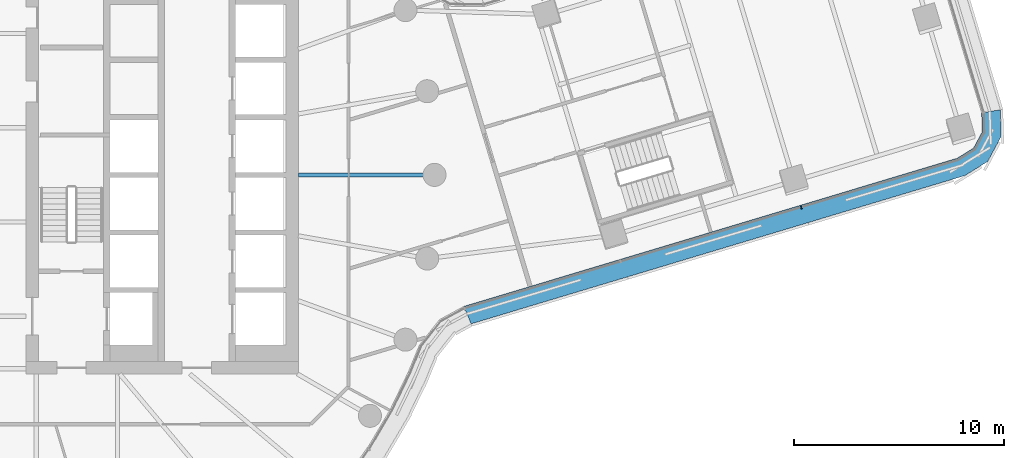
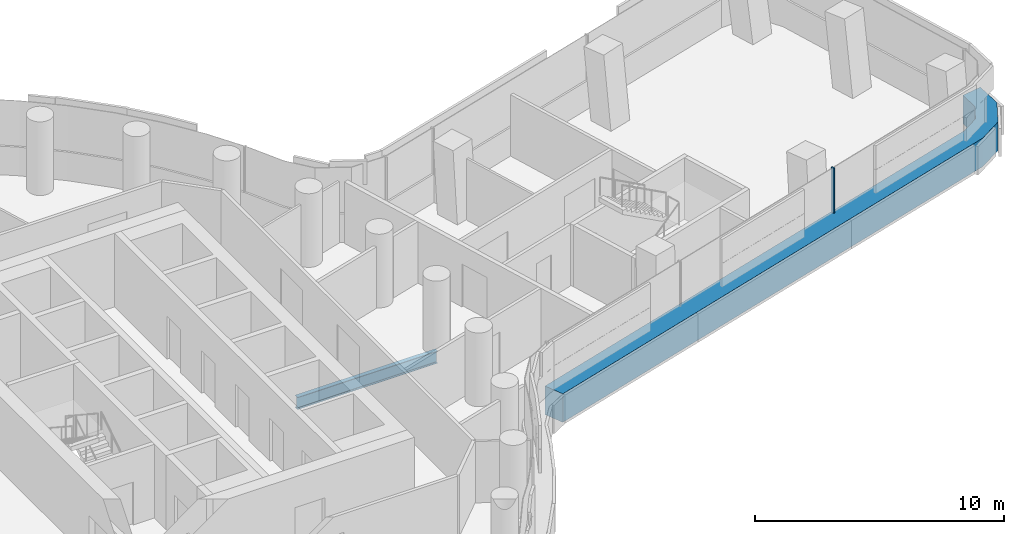
# One storey, part 10 of 32: 2 members, 1 beam, 1 element without a shape of its own.
"""IFC4 building model written with IfcOpenShell, lengths in metres."""

from ifc_helpers import new_model, si_unit, direction, frame, origin, origin_2d, place, context, subcontext, project, spatial, polyline, rectangle, i_section, outline, extrude, material, layer, layer_set, material_profile, profile_set, type_object, element, aggregate, save


model = new_model("IFC4")

# Units and contexts
model_context = context("Model", 3, precision=1e-05, world=origin(), true_north=direction((0.0, 1.0)))
body_context = subcontext(model_context, "Body", "Model", "MODEL_VIEW")
ifc_project = project(units=[si_unit("LENGTHUNIT", "METRE"), si_unit("AREAUNIT", "SQUARE_METRE"), si_unit("VOLUMEUNIT", "CUBIC_METRE"), si_unit("PLANEANGLEUNIT", "RADIAN"), si_unit("MASSUNIT", "GRAM", prefix="KILO")], contexts=[model_context])

# Site, building, storey
site_placement = place(None, origin())
site = spatial("IfcSite", under=ifc_project, at=site_placement, CompositionType="ELEMENT")
building_placement = place(site_placement, origin())
building = spatial("IfcBuilding", under=site, at=building_placement, Name="Tamarind Cross Interchange Tower", CompositionType="ELEMENT")
storey_placement = place(building_placement, frame((0.0, 0.0, 94.75)))
storey = spatial("IfcBuildingStorey", under=building, at=storey_placement, Name="L22", CompositionType="ELEMENT", Elevation=94.75)

# Beam
ifc_material_1 = material(Name="Steel Q355B", Category="steel")
ifc_material_profile_1 = material_profile(ifc_material_1, i_section(OverallWidth=0.198974609375, OverallDepth=0.595947265625, WebThickness=0.010009765625, FlangeThickness=0.014892578125, FilletRadius=0.012939453125, at=origin_2d()), Name="HN 596x199x10x15")
ifc_profile_set_1 = profile_set([ifc_material_profile_1], Name="Steel Q355B")
beam_type = type_object("IfcBeamType", Name="Composite beam HN 596x199x10x15 Q355B", PredefinedType="BEAM", material=ifc_profile_set_1)
beam_placement = place(storey_placement, frame((23.0, 0.0, -0.43798828125), z_axis=(-1.0, 0.0, 0.0), x_axis=(0.0, -1.0, 0.0)))
element("IfcBeam", 1, at=beam_placement, inside=storey, type_object=beam_type, Name="Beam HH00", PredefinedType="BEAM", context=body_context, shape_type="SweptSolid", body=[
    extrude(i_section(OverallWidth=0.198974609375, OverallDepth=0.595947265625, WebThickness=0.010009765625, FlangeThickness=0.014892578125, FilletRadius=0.012939453125, at=origin_2d()), origin(), (0.0, 0.0, 1.0), 6.5),
])

# Curtain wall, members
ifc_material_2 = material(Name="Aluminium 6063-T6", Category="aluminium")
ifc_layer = layer(ifc_material_2, 0.159912109375)
ifc_layer_set = layer_set([ifc_layer], Name="Aluminium 6063-T6")
curtain_wall_type = type_object("IfcCurtainWallType", Name="Office curtain wall, 9.0 m bays", PredefinedType="NOTDEFINED", material=ifc_layer_set)
curtain_wall_placement = place(storey_placement, origin())
curtain_wall = element("IfcCurtainWall", 2, at=curtain_wall_placement, inside=storey, type_object=curtain_wall_type, Name="CWS-L22-11", PredefinedType="NOTDEFINED")
ifc_material_3 = material(Name="Aluminium and insulated spandrel panel", Category="aluminium")
member_type_1 = type_object("IfcMemberType", Name="Floor-edge blade transom", PredefinedType="USERDEFINED", material=ifc_material_3)
member_1_placement = place(storey_placement, origin())
member_1 = element("IfcMember", 3, at=member_1_placement, type_object=member_type_1, Name="CWT-L22-11", ObjectType="TRANSOM", PredefinedType="USERDEFINED", context=body_context, shape_type="SweptSolid", body=[
    extrude(outline(polyline([(24.3994140625, -6.27490234375), (47.948486328125, 0.797607421875), (48.72705078125, 1.27880859375), (49.141357421875, 2.048828125), (49.114013671875, 2.9638671875), (50.010009765625, 3.109375), (50.04833984375, 1.834716796875), (49.4052734375, 0.639892578125), (48.32080078125, -0.0302734375), (24.747314453125, -7.110107421875), (24.3994140625, -6.27490234375)])), origin(), (0.0, 0.0, 1.0), 1.39990234375),
])
ifc_material_profile_2 = material_profile(ifc_material_2, rectangle(XDim=0.06005859375, YDim=0.159912109375, at=origin_2d()), Name="Mullion CW1")
ifc_profile_set_2 = profile_set([ifc_material_profile_2], Name="Aluminium 6063-T6")
member_type_2 = type_object("IfcMemberType", Name="Mullion CW1", PredefinedType="MULLION", material=ifc_profile_set_2)
member_2_placement = place(storey_placement, frame((40.50146484375, -1.54345703125, 1.39990234375), z_axis=(0.0, 0.0, 1.0), x_axis=(0.957738195167, 0.287641355717, 0.0)))
member_2 = element("IfcMember", 4, at=member_2_placement, type_object=member_type_2, Name="CWM-L22-11-02", PredefinedType="MULLION", context=body_context, shape_type="SweptSolid", body=[
    extrude(rectangle(XDim=0.06005859375, YDim=0.159912109375, at=origin_2d()), origin(), (0.0, 0.0, 1.0), 2.210205078125),
])
aggregate(curtain_wall, [member_2, member_1])

save(model, "model.ifc")
